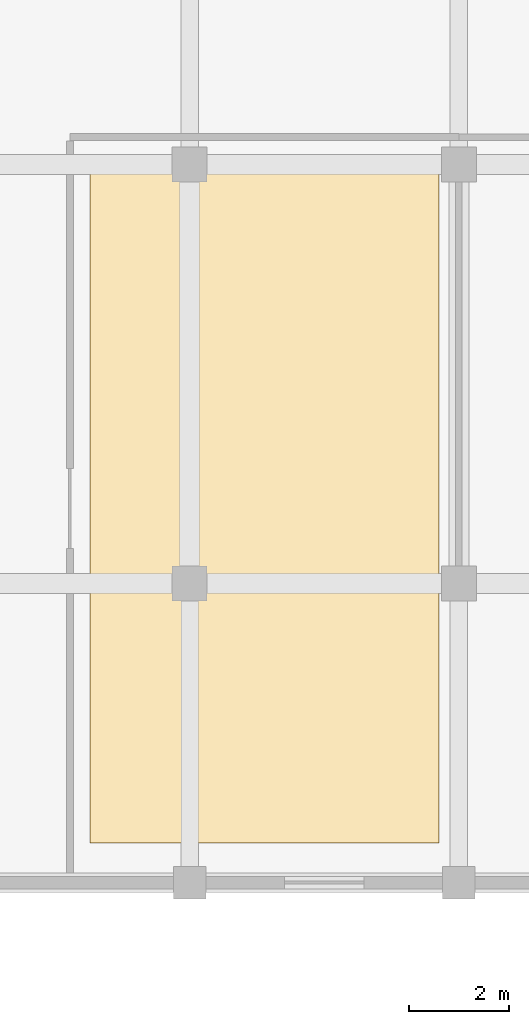
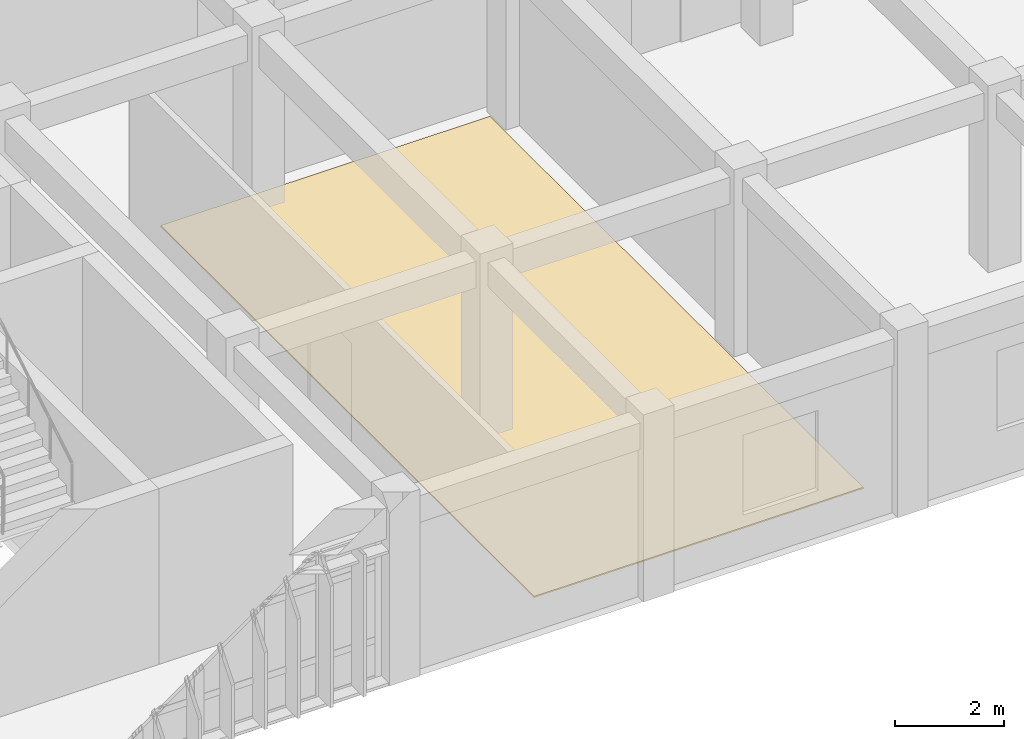
# One storey, part 23 of 23: 1 covering.
"""IFC4 building model written with IfcOpenShell, lengths in metres."""

from ifc_helpers import new_model, si_unit, direction, frame, origin, place, context, subcontext, project, spatial, polyline, outline, extrude, material, layer, layer_set, type_object, element, save


model = new_model("IFC4")

# Units and contexts
model_context = context("Model", 3, precision=1e-05, world=origin(), true_north=direction((0.0, 1.0)))
body_context = subcontext(model_context, "Body", "Model", "MODEL_VIEW")
ifc_project = project(units=[si_unit("LENGTHUNIT", "METRE"), si_unit("AREAUNIT", "SQUARE_METRE"), si_unit("VOLUMEUNIT", "CUBIC_METRE"), si_unit("PLANEANGLEUNIT", "RADIAN"), si_unit("MASSUNIT", "GRAM", prefix="KILO")], contexts=[model_context])

# Site, building, storey
site_placement = place(None, origin())
site = spatial("IfcSite", under=ifc_project, at=site_placement, CompositionType="ELEMENT")
building_placement = place(site_placement, origin())
building = spatial("IfcBuilding", under=site, at=building_placement, Name="Krzemoval Escarpment Law Courts", CompositionType="ELEMENT")
storey_placement = place(building_placement, frame((0.0, 0.0, 25.199951171875)))
storey = spatial("IfcBuildingStorey", under=building, at=storey_placement, Name="L05", CompositionType="ELEMENT", Elevation=25.199951171875)

# Covering
ifc_material = material(Name="Honed Silesian Granite Stone Flooring", Category="masonry")
ifc_layer = layer(ifc_material, 0.030029296875)
ifc_layer_set = layer_set([ifc_layer], Name="Honed Silesian Granite Stone Flooring")
covering_type = type_object("IfcCoveringType", Name="COV-FLR-STN30", PredefinedType="FLOORING", material=ifc_layer_set)
covering_placement = place(storey_placement, origin())
element("IfcCovering", 1, at=covering_placement, inside=storey, type_object=covering_type, Name="Stone Floor Finish FLR-L05-48", PredefinedType="FLOORING", context=body_context, shape_type="SweptSolid", body=[
    extrude(outline(polyline([(154.60009765625, 94.39990234375), (154.60009765625, 108.14990234375), (161.60009765625, 108.14990234375), (161.60009765625, 94.39990234375), (154.60009765625, 94.39990234375)])), origin(), (0.0, 0.0, 1.0), 0.030029296875),
])

save(model, "model.ifc")
